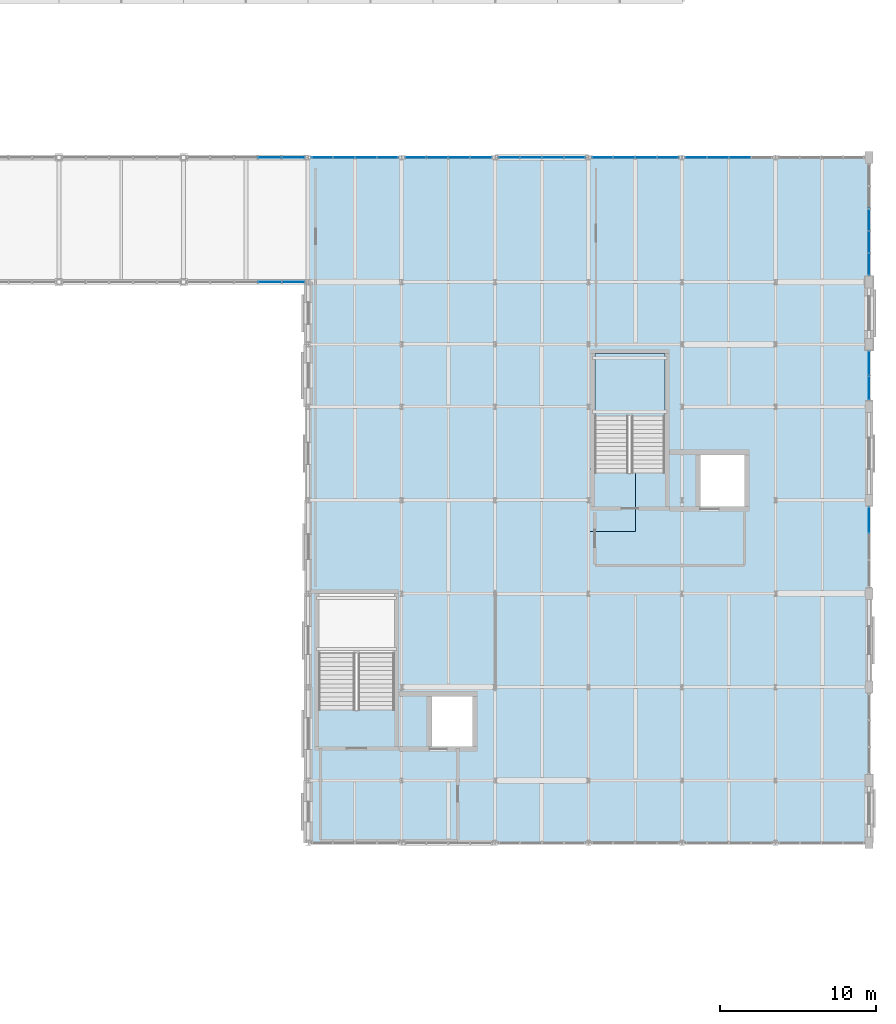
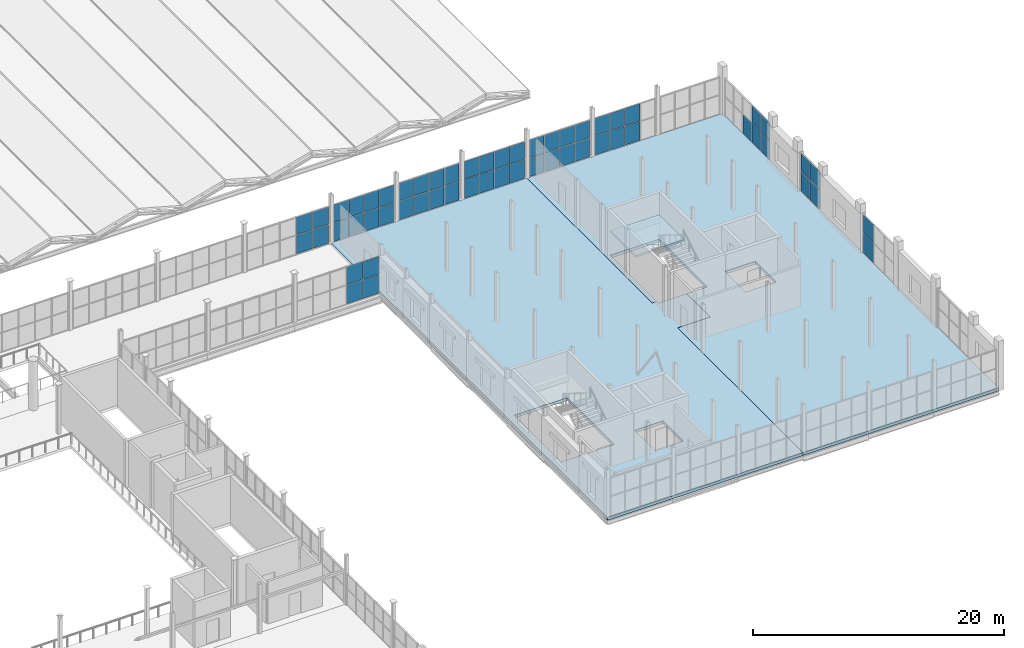
# One storey, part 89 of 114: 57 plates, 3 slabs, 11 elements without a shape of their own.
"""IFC4 building model written with IfcOpenShell, lengths in metres."""

from ifc_helpers import new_model, si_unit, direction, frame, origin, origin_2d, place, context, subcontext, project, spatial, polyline, rectangle, outline, extrude, material, layer, layer_set, type_object, element, aggregate, save


model = new_model("IFC4")

# Units and contexts
model_context = context("Model", 3, precision=1e-05, world=origin(), true_north=direction((0.0, 1.0)))
body_context = subcontext(model_context, "Body", "Model", "MODEL_VIEW")
ifc_project = project(units=[si_unit("LENGTHUNIT", "METRE"), si_unit("AREAUNIT", "SQUARE_METRE"), si_unit("VOLUMEUNIT", "CUBIC_METRE"), si_unit("PLANEANGLEUNIT", "RADIAN"), si_unit("MASSUNIT", "GRAM", prefix="KILO")], contexts=[model_context])

# Site, building, storey
site_placement = place(None, origin())
site = spatial("IfcSite", under=ifc_project, at=site_placement, CompositionType="ELEMENT")
building_placement = place(site_placement, origin())
building = spatial("IfcBuilding", under=site, at=building_placement, Name="Verrall Gate Interchange", CompositionType="ELEMENT")
storey_placement = place(building_placement, frame((0.0, 0.0, 6.60009765625)))
storey = spatial("IfcBuildingStorey", under=building, at=storey_placement, Name="L02", CompositionType="ELEMENT", Elevation=6.60009765625)

# Curtain wall, plates
ifc_material_1 = material(Name="Thermally Broken Anodized Aluminium Curtain Wall Framing", Category="aluminium")
curtain_wall_type_1 = type_object("IfcCurtainWallType", Name="CW-21 Unitized Curtain Wall 7631x3680", PredefinedType="NOTDEFINED", material=ifc_material_1)
curtain_wall_1_placement = place(storey_placement, origin())
curtain_wall_1 = element("IfcCurtainWall", 1, at=curtain_wall_1_placement, inside=storey, type_object=curtain_wall_type_1, Name="L02 Unitized Curtain Wall CW-L02-072", PredefinedType="NOTDEFINED")
ifc_material_2 = material(Name="Triple-Glazed Low-E Argon Insulated Curtain Panel (U=1.45)", Category="glass")
ifc_layer_1 = layer(ifc_material_2, 0.030029296875)
ifc_layer_set_1 = layer_set([ifc_layer_1], Name="Triple-Glazed Low-E Argon Insulated Curtain Panel (U=1.45)")
plate_type_1 = type_object("IfcPlateType", Name="CP-01 Curtain Glazing Panel 30", PredefinedType="CURTAIN_PANEL", material=ifc_layer_set_1)
plate_1_placement = place(storey_placement, frame((129.525390625, 48.0, 0.054443359375), z_axis=(0.0, 0.0, 1.0), x_axis=(1.0, 0.0, 0.0)))
plate_1 = element("IfcPlate", 2, at=plate_1_placement, type_object=plate_type_1, Name="CW-L02-072 Glazing Panel 4.1", PredefinedType="CURTAIN_PANEL", context=body_context, shape_type="SweptSolid", body=[
    extrude(rectangle(XDim=1.481689453125, YDim=0.030029296875, at=origin_2d()), origin(), (0.0, 0.0, 1.0), 1.8369140625),
])
plate_2_placement = place(storey_placement, frame((129.525390625, 48.0, 1.935546875), z_axis=(0.0, 0.0, 1.0), x_axis=(1.0, 0.0, 0.0)))
plate_2 = element("IfcPlate", 3, at=plate_2_placement, type_object=plate_type_1, Name="CW-L02-072 Glazing Panel 4.2", PredefinedType="CURTAIN_PANEL", context=body_context, shape_type="SweptSolid", body=[
    extrude(rectangle(XDim=1.481689453125, YDim=0.030029296875, at=origin_2d()), origin(), (0.0, 0.0, 1.0), 1.689697265625),
])
plate_3_placement = place(storey_placement, frame((131.03515625, 48.0, 0.054443359375), z_axis=(0.0, 0.0, 1.0), x_axis=(1.0, 0.0, 0.0)))
plate_3 = element("IfcPlate", 4, at=plate_3_placement, type_object=plate_type_1, Name="CW-L02-072 Glazing Panel 5.1", PredefinedType="CURTAIN_PANEL", context=body_context, shape_type="SweptSolid", body=[
    extrude(rectangle(XDim=1.44921875, YDim=0.030029296875, at=origin_2d()), origin(), (0.0, 0.0, 1.0), 1.8369140625),
])
plate_4_placement = place(storey_placement, frame((131.03515625, 48.0, 1.935546875), z_axis=(0.0, 0.0, 1.0), x_axis=(1.0, 0.0, 0.0)))
plate_4 = element("IfcPlate", 5, at=plate_4_placement, type_object=plate_type_1, Name="CW-L02-072 Glazing Panel 5.2", PredefinedType="CURTAIN_PANEL", context=body_context, shape_type="SweptSolid", body=[
    extrude(rectangle(XDim=1.44921875, YDim=0.030029296875, at=origin_2d()), origin(), (0.0, 0.0, 1.0), 1.689697265625),
])
aggregate(curtain_wall_1, [plate_1, plate_2, plate_3, plate_4])

curtain_wall_2_placement = place(storey_placement, origin())
curtain_wall_2 = element("IfcCurtainWall", 6, at=curtain_wall_2_placement, inside=storey, type_object=curtain_wall_type_1, Name="L02 Unitized Curtain Wall CW-L02-073", PredefinedType="NOTDEFINED")
plate_5_placement = place(storey_placement, frame((131.03271484375, 56.0, 0.062744140625), z_axis=(0.0, 0.0, 1.0), x_axis=(-1.0, 0.0, 0.0)))
plate_5 = element("IfcPlate", 7, at=plate_5_placement, type_object=plate_type_1, Name="CW-L02-073 Glazing Panel 1.1", PredefinedType="CURTAIN_PANEL", context=body_context, shape_type="SweptSolid", body=[
    extrude(rectangle(XDim=1.4375, YDim=0.030029296875, at=origin_2d()), origin(), (0.0, 0.0, 1.0), 1.8251953125),
])
plate_6_placement = place(storey_placement, frame((131.03271484375, 56.0, 1.93896484375), z_axis=(0.0, 0.0, 1.0), x_axis=(-1.0, 0.0, 0.0)))
plate_6 = element("IfcPlate", 8, at=plate_6_placement, type_object=plate_type_1, Name="CW-L02-073 Glazing Panel 1.2", PredefinedType="CURTAIN_PANEL", context=body_context, shape_type="SweptSolid", body=[
    extrude(rectangle(XDim=1.4375, YDim=0.030029296875, at=origin_2d()), origin(), (0.0, 0.0, 1.0), 1.677978515625),
])
plate_7_placement = place(storey_placement, frame((129.525390625, 56.0, 0.062744140625), z_axis=(0.0, 0.0, 1.0), x_axis=(-1.0, 0.0, 0.0)))
plate_7 = element("IfcPlate", 9, at=plate_7_placement, type_object=plate_type_1, Name="CW-L02-073 Glazing Panel 2.1", PredefinedType="CURTAIN_PANEL", context=body_context, shape_type="SweptSolid", body=[
    extrude(rectangle(XDim=1.47509765625, YDim=0.030029296875, at=origin_2d()), origin(), (0.0, 0.0, 1.0), 1.8251953125),
])
plate_8_placement = place(storey_placement, frame((129.525390625, 56.0, 1.93896484375), z_axis=(0.0, 0.0, 1.0), x_axis=(-1.0, 0.0, 0.0)))
plate_8 = element("IfcPlate", 10, at=plate_8_placement, type_object=plate_type_1, Name="CW-L02-073 Glazing Panel 2.2", PredefinedType="CURTAIN_PANEL", context=body_context, shape_type="SweptSolid", body=[
    extrude(rectangle(XDim=1.47509765625, YDim=0.030029296875, at=origin_2d()), origin(), (0.0, 0.0, 1.0), 1.677978515625),
])
aggregate(curtain_wall_2, [plate_5, plate_6, plate_7, plate_8])

ifc_material_3 = material(Name="Thermally Broken Anodized Aluminium Curtain Wall Framing", Category="aluminium")
curtain_wall_type_2 = type_object("IfcCurtainWallType", Name="CW-24 Unitized Curtain Wall 5186x3830", PredefinedType="NOTDEFINED", material=ifc_material_3)
curtain_wall_3_placement = place(storey_placement, origin())
curtain_wall_3 = element("IfcCurtainWall", 11, at=curtain_wall_3_placement, inside=storey, type_object=curtain_wall_type_2, Name="L02 Unitized Curtain Wall CW-L02-092", PredefinedType="NOTDEFINED")
plate_9_placement = place(storey_placement, frame((168.0, 32.71240234375, 0.0546875), z_axis=(0.0, 0.0, 1.0), x_axis=(0.0, 1.0, 0.0)))
plate_9 = element("IfcPlate", 12, at=plate_9_placement, type_object=plate_type_1, Name="CW-L02-092 Glazing Panel 3.1", PredefinedType="CURTAIN_PANEL", context=body_context, shape_type="SweptSolid", body=[
    extrude(rectangle(XDim=1.652099609375, YDim=0.030029296875, at=origin_2d()), origin(), (0.0, 0.0, 1.0), 1.914794921875),
])
plate_10_placement = place(storey_placement, frame((168.0, 32.71240234375, 2.013671875), z_axis=(0.0, 0.0, 1.0), x_axis=(0.0, 1.0, 0.0)))
plate_10 = element("IfcPlate", 13, at=plate_10_placement, type_object=plate_type_1, Name="CW-L02-092 Glazing Panel 3.2", PredefinedType="CURTAIN_PANEL", context=body_context, shape_type="SweptSolid", body=[
    extrude(rectangle(XDim=1.652099609375, YDim=0.030029296875, at=origin_2d()), origin(), (0.0, 0.0, 1.0), 1.76171875),
])
aggregate(curtain_wall_3, [plate_9, plate_10])

ifc_material_4 = material(Name="Thermally Broken Anodized Aluminium Curtain Wall Framing", Category="aluminium")
curtain_wall_type_3 = type_object("IfcCurtainWallType", Name="CW-25 Unitized Curtain Wall 3186x3830", PredefinedType="NOTDEFINED", material=ifc_material_4)
curtain_wall_4_placement = place(storey_placement, origin())
curtain_wall_4 = element("IfcCurtainWall", 14, at=curtain_wall_4_placement, inside=storey, type_object=curtain_wall_type_3, Name="L02 Unitized Curtain Wall CW-L02-093", PredefinedType="NOTDEFINED")
plate_11_placement = place(storey_placement, frame((168.0, 41.22216796875, 0.06298828125), z_axis=(0.0, 0.0, 1.0), x_axis=(0.0, 1.0, 0.0)))
plate_11 = element("IfcPlate", 15, at=plate_11_placement, type_object=plate_type_1, Name="CW-L02-093 Glazing Panel 1.1", PredefinedType="CURTAIN_PANEL", context=body_context, shape_type="SweptSolid", body=[
    extrude(rectangle(XDim=1.50439453125, YDim=0.030029296875, at=origin_2d()), origin(), (0.0, 0.0, 1.0), 1.903076171875),
])
plate_12_placement = place(storey_placement, frame((168.0, 41.22216796875, 2.016845703125), z_axis=(0.0, 0.0, 1.0), x_axis=(0.0, 1.0, 0.0)))
plate_12 = element("IfcPlate", 16, at=plate_12_placement, type_object=plate_type_1, Name="CW-L02-093 Glazing Panel 1.2", PredefinedType="CURTAIN_PANEL", context=body_context, shape_type="SweptSolid", body=[
    extrude(rectangle(XDim=1.50439453125, YDim=0.030029296875, at=origin_2d()), origin(), (0.0, 0.0, 1.0), 1.75),
])
plate_13_placement = place(storey_placement, frame((168.0, 42.777587890625, 0.06298828125), z_axis=(0.0, 0.0, 1.0), x_axis=(0.0, 1.0, 0.0)))
plate_13 = element("IfcPlate", 17, at=plate_13_placement, type_object=plate_type_1, Name="CW-L02-093 Glazing Panel 2.1", PredefinedType="CURTAIN_PANEL", context=body_context, shape_type="SweptSolid", body=[
    extrude(rectangle(XDim=1.50439453125, YDim=0.030029296875, at=origin_2d()), origin(), (0.0, 0.0, 1.0), 1.903076171875),
])
plate_14_placement = place(storey_placement, frame((168.0, 42.777587890625, 2.016845703125), z_axis=(0.0, 0.0, 1.0), x_axis=(0.0, 1.0, 0.0)))
plate_14 = element("IfcPlate", 18, at=plate_14_placement, type_object=plate_type_1, Name="CW-L02-093 Glazing Panel 2.2", PredefinedType="CURTAIN_PANEL", context=body_context, shape_type="SweptSolid", body=[
    extrude(rectangle(XDim=1.50439453125, YDim=0.030029296875, at=origin_2d()), origin(), (0.0, 0.0, 1.0), 1.75),
])
aggregate(curtain_wall_4, [plate_11, plate_12, plate_13, plate_14])

ifc_material_5 = material(Name="Thermally Broken Anodized Aluminium Curtain Wall Framing", Category="aluminium")
curtain_wall_type_4 = type_object("IfcCurtainWallType", Name="CW-28 Unitized Curtain Wall 5629x3680", PredefinedType="NOTDEFINED", material=ifc_material_5)
curtain_wall_5_placement = place(storey_placement, origin())
curtain_wall_5 = element("IfcCurtainWall", 19, at=curtain_wall_5_placement, inside=storey, type_object=curtain_wall_type_4, Name="L02 Unitized Curtain Wall CW-L02-096", PredefinedType="NOTDEFINED")
plate_15_placement = place(storey_placement, frame((159.70361328125, 56.0, 0.054443359375), z_axis=(0.0, 0.0, 1.0), x_axis=(-1.0, 0.0, 0.0)))
plate_15 = element("IfcPlate", 20, at=plate_15_placement, type_object=plate_type_1, Name="CW-L02-096 Glazing Panel 2.1", PredefinedType="CURTAIN_PANEL", context=body_context, shape_type="SweptSolid", body=[
    extrude(rectangle(XDim=1.363037109375, YDim=0.030029296875, at=origin_2d()), origin(), (0.0, 0.0, 1.0), 1.8369140625),
])
plate_16_placement = place(storey_placement, frame((159.70361328125, 56.0, 1.935546875), z_axis=(0.0, 0.0, 1.0), x_axis=(-1.0, 0.0, 0.0)))
plate_16 = element("IfcPlate", 21, at=plate_16_placement, type_object=plate_type_1, Name="CW-L02-096 Glazing Panel 2.2", PredefinedType="CURTAIN_PANEL", context=body_context, shape_type="SweptSolid", body=[
    extrude(rectangle(XDim=1.363037109375, YDim=0.030029296875, at=origin_2d()), origin(), (0.0, 0.0, 1.0), 1.689697265625),
])
plate_17_placement = place(storey_placement, frame((158.29638671875, 56.0, 0.054443359375), z_axis=(0.0, 0.0, 1.0), x_axis=(-1.0, 0.0, 0.0)))
plate_17 = element("IfcPlate", 22, at=plate_17_placement, type_object=plate_type_1, Name="CW-L02-096 Glazing Panel 3.1", PredefinedType="CURTAIN_PANEL", context=body_context, shape_type="SweptSolid", body=[
    extrude(rectangle(XDim=1.363037109375, YDim=0.030029296875, at=origin_2d()), origin(), (0.0, 0.0, 1.0), 1.8369140625),
])
plate_18_placement = place(storey_placement, frame((158.29638671875, 56.0, 1.935546875), z_axis=(0.0, 0.0, 1.0), x_axis=(-1.0, 0.0, 0.0)))
plate_18 = element("IfcPlate", 23, at=plate_18_placement, type_object=plate_type_1, Name="CW-L02-096 Glazing Panel 3.2", PredefinedType="CURTAIN_PANEL", context=body_context, shape_type="SweptSolid", body=[
    extrude(rectangle(XDim=1.363037109375, YDim=0.030029296875, at=origin_2d()), origin(), (0.0, 0.0, 1.0), 1.689697265625),
])
plate_19_placement = place(storey_placement, frame((156.9052734375, 56.0, 0.054443359375), z_axis=(0.0, 0.0, 1.0), x_axis=(-1.0, 0.0, 0.0)))
plate_19 = element("IfcPlate", 24, at=plate_19_placement, type_object=plate_type_1, Name="CW-L02-096 Glazing Panel 4.1", PredefinedType="CURTAIN_PANEL", context=body_context, shape_type="SweptSolid", body=[
    extrude(rectangle(XDim=1.33056640625, YDim=0.030029296875, at=origin_2d()), origin(), (0.0, 0.0, 1.0), 1.8369140625),
])
plate_20_placement = place(storey_placement, frame((156.9052734375, 56.0, 1.935546875), z_axis=(0.0, 0.0, 1.0), x_axis=(-1.0, 0.0, 0.0)))
plate_20 = element("IfcPlate", 25, at=plate_20_placement, type_object=plate_type_1, Name="CW-L02-096 Glazing Panel 4.2", PredefinedType="CURTAIN_PANEL", context=body_context, shape_type="SweptSolid", body=[
    extrude(rectangle(XDim=1.33056640625, YDim=0.030029296875, at=origin_2d()), origin(), (0.0, 0.0, 1.0), 1.689697265625),
])
aggregate(curtain_wall_5, [plate_15, plate_16, plate_17, plate_18, plate_19, plate_20])

curtain_wall_6_placement = place(storey_placement, origin())
curtain_wall_6 = element("IfcCurtainWall", 26, at=curtain_wall_6_placement, inside=storey, type_object=curtain_wall_type_4, Name="L02 Unitized Curtain Wall CW-L02-097", PredefinedType="NOTDEFINED")
plate_21_placement = place(storey_placement, frame((155.09228515625, 56.0, 0.062744140625), z_axis=(0.0, 0.0, 1.0), x_axis=(-1.0, 0.0, 0.0)))
plate_21 = element("IfcPlate", 27, at=plate_21_placement, type_object=plate_type_1, Name="CW-L02-097 Glazing Panel 1.1", PredefinedType="CURTAIN_PANEL", context=body_context, shape_type="SweptSolid", body=[
    extrude(rectangle(XDim=1.318603515625, YDim=0.030029296875, at=origin_2d()), origin(), (0.0, 0.0, 1.0), 1.8251953125),
])
plate_22_placement = place(storey_placement, frame((155.09228515625, 56.0, 1.93896484375), z_axis=(0.0, 0.0, 1.0), x_axis=(-1.0, 0.0, 0.0)))
plate_22 = element("IfcPlate", 28, at=plate_22_placement, type_object=plate_type_1, Name="CW-L02-097 Glazing Panel 1.2", PredefinedType="CURTAIN_PANEL", context=body_context, shape_type="SweptSolid", body=[
    extrude(rectangle(XDim=1.318603515625, YDim=0.030029296875, at=origin_2d()), origin(), (0.0, 0.0, 1.0), 1.677978515625),
])
plate_23_placement = place(storey_placement, frame((153.70361328125, 56.0, 0.062744140625), z_axis=(0.0, 0.0, 1.0), x_axis=(-1.0, 0.0, 0.0)))
plate_23 = element("IfcPlate", 29, at=plate_23_placement, type_object=plate_type_1, Name="CW-L02-097 Glazing Panel 2.1", PredefinedType="CURTAIN_PANEL", context=body_context, shape_type="SweptSolid", body=[
    extrude(rectangle(XDim=1.356201171875, YDim=0.030029296875, at=origin_2d()), origin(), (0.0, 0.0, 1.0), 1.8251953125),
])
plate_24_placement = place(storey_placement, frame((153.70361328125, 56.0, 1.93896484375), z_axis=(0.0, 0.0, 1.0), x_axis=(-1.0, 0.0, 0.0)))
plate_24 = element("IfcPlate", 30, at=plate_24_placement, type_object=plate_type_1, Name="CW-L02-097 Glazing Panel 2.2", PredefinedType="CURTAIN_PANEL", context=body_context, shape_type="SweptSolid", body=[
    extrude(rectangle(XDim=1.356201171875, YDim=0.030029296875, at=origin_2d()), origin(), (0.0, 0.0, 1.0), 1.677978515625),
])
plate_25_placement = place(storey_placement, frame((152.29638671875, 56.0, 0.062744140625), z_axis=(0.0, 0.0, 1.0), x_axis=(-1.0, 0.0, 0.0)))
plate_25 = element("IfcPlate", 31, at=plate_25_placement, type_object=plate_type_1, Name="CW-L02-097 Glazing Panel 3.1", PredefinedType="CURTAIN_PANEL", context=body_context, shape_type="SweptSolid", body=[
    extrude(rectangle(XDim=1.356201171875, YDim=0.030029296875, at=origin_2d()), origin(), (0.0, 0.0, 1.0), 1.8251953125),
])
plate_26_placement = place(storey_placement, frame((152.29638671875, 56.0, 1.93896484375), z_axis=(0.0, 0.0, 1.0), x_axis=(-1.0, 0.0, 0.0)))
plate_26 = element("IfcPlate", 32, at=plate_26_placement, type_object=plate_type_1, Name="CW-L02-097 Glazing Panel 3.2", PredefinedType="CURTAIN_PANEL", context=body_context, shape_type="SweptSolid", body=[
    extrude(rectangle(XDim=1.356201171875, YDim=0.030029296875, at=origin_2d()), origin(), (0.0, 0.0, 1.0), 1.677978515625),
])
plate_27_placement = place(storey_placement, frame((150.90771484375, 56.0, 0.062744140625), z_axis=(0.0, 0.0, 1.0), x_axis=(-1.0, 0.0, 0.0)))
plate_27 = element("IfcPlate", 33, at=plate_27_placement, type_object=plate_type_1, Name="CW-L02-097 Glazing Panel 4.1", PredefinedType="CURTAIN_PANEL", context=body_context, shape_type="SweptSolid", body=[
    extrude(rectangle(XDim=1.318603515625, YDim=0.030029296875, at=origin_2d()), origin(), (0.0, 0.0, 1.0), 1.8251953125),
])
plate_28_placement = place(storey_placement, frame((150.90771484375, 56.0, 1.93896484375), z_axis=(0.0, 0.0, 1.0), x_axis=(-1.0, 0.0, 0.0)))
plate_28 = element("IfcPlate", 34, at=plate_28_placement, type_object=plate_type_1, Name="CW-L02-097 Glazing Panel 4.2", PredefinedType="CURTAIN_PANEL", context=body_context, shape_type="SweptSolid", body=[
    extrude(rectangle(XDim=1.318603515625, YDim=0.030029296875, at=origin_2d()), origin(), (0.0, 0.0, 1.0), 1.677978515625),
])
aggregate(curtain_wall_6, [plate_21, plate_22, plate_23, plate_24, plate_25, plate_26, plate_27, plate_28])

curtain_wall_7_placement = place(storey_placement, origin())
curtain_wall_7 = element("IfcCurtainWall", 35, at=curtain_wall_7_placement, inside=storey, type_object=curtain_wall_type_4, Name="L02 Unitized Curtain Wall CW-L02-100", PredefinedType="NOTDEFINED")
plate_29_placement = place(storey_placement, frame((137.0947265625, 56.0, 0.054443359375), z_axis=(0.0, 0.0, 1.0), x_axis=(-1.0, 0.0, 0.0)))
plate_29 = element("IfcPlate", 36, at=plate_29_placement, type_object=plate_type_1, Name="CW-L02-100 Glazing Panel 1.1", PredefinedType="CURTAIN_PANEL", context=body_context, shape_type="SweptSolid", body=[
    extrude(rectangle(XDim=1.33056640625, YDim=0.030029296875, at=origin_2d()), origin(), (0.0, 0.0, 1.0), 1.8369140625),
])
plate_30_placement = place(storey_placement, frame((137.0947265625, 56.0, 1.935546875), z_axis=(0.0, 0.0, 1.0), x_axis=(-1.0, 0.0, 0.0)))
plate_30 = element("IfcPlate", 37, at=plate_30_placement, type_object=plate_type_1, Name="CW-L02-100 Glazing Panel 1.2", PredefinedType="CURTAIN_PANEL", context=body_context, shape_type="SweptSolid", body=[
    extrude(rectangle(XDim=1.33056640625, YDim=0.030029296875, at=origin_2d()), origin(), (0.0, 0.0, 1.0), 1.689697265625),
])
plate_31_placement = place(storey_placement, frame((135.70361328125, 56.0, 0.054443359375), z_axis=(0.0, 0.0, 1.0), x_axis=(-1.0, 0.0, 0.0)))
plate_31 = element("IfcPlate", 38, at=plate_31_placement, type_object=plate_type_1, Name="CW-L02-100 Glazing Panel 2.1", PredefinedType="CURTAIN_PANEL", context=body_context, shape_type="SweptSolid", body=[
    extrude(rectangle(XDim=1.363037109375, YDim=0.030029296875, at=origin_2d()), origin(), (0.0, 0.0, 1.0), 1.8369140625),
])
plate_32_placement = place(storey_placement, frame((135.70361328125, 56.0, 1.935546875), z_axis=(0.0, 0.0, 1.0), x_axis=(-1.0, 0.0, 0.0)))
plate_32 = element("IfcPlate", 39, at=plate_32_placement, type_object=plate_type_1, Name="CW-L02-100 Glazing Panel 2.2", PredefinedType="CURTAIN_PANEL", context=body_context, shape_type="SweptSolid", body=[
    extrude(rectangle(XDim=1.363037109375, YDim=0.030029296875, at=origin_2d()), origin(), (0.0, 0.0, 1.0), 1.689697265625),
])
plate_33_placement = place(storey_placement, frame((134.29638671875, 56.0, 0.054443359375), z_axis=(0.0, 0.0, 1.0), x_axis=(-1.0, 0.0, 0.0)))
plate_33 = element("IfcPlate", 40, at=plate_33_placement, type_object=plate_type_1, Name="CW-L02-100 Glazing Panel 3.1", PredefinedType="CURTAIN_PANEL", context=body_context, shape_type="SweptSolid", body=[
    extrude(rectangle(XDim=1.363037109375, YDim=0.030029296875, at=origin_2d()), origin(), (0.0, 0.0, 1.0), 1.8369140625),
])
plate_34_placement = place(storey_placement, frame((134.29638671875, 56.0, 1.935546875), z_axis=(0.0, 0.0, 1.0), x_axis=(-1.0, 0.0, 0.0)))
plate_34 = element("IfcPlate", 41, at=plate_34_placement, type_object=plate_type_1, Name="CW-L02-100 Glazing Panel 3.2", PredefinedType="CURTAIN_PANEL", context=body_context, shape_type="SweptSolid", body=[
    extrude(rectangle(XDim=1.363037109375, YDim=0.030029296875, at=origin_2d()), origin(), (0.0, 0.0, 1.0), 1.689697265625),
])
plate_35_placement = place(storey_placement, frame((132.9052734375, 56.0, 0.054443359375), z_axis=(0.0, 0.0, 1.0), x_axis=(-1.0, 0.0, 0.0)))
plate_35 = element("IfcPlate", 42, at=plate_35_placement, type_object=plate_type_1, Name="CW-L02-100 Glazing Panel 4.1", PredefinedType="CURTAIN_PANEL", context=body_context, shape_type="SweptSolid", body=[
    extrude(rectangle(XDim=1.33056640625, YDim=0.030029296875, at=origin_2d()), origin(), (0.0, 0.0, 1.0), 1.8369140625),
])
plate_36_placement = place(storey_placement, frame((132.9052734375, 56.0, 1.935546875), z_axis=(0.0, 0.0, 1.0), x_axis=(-1.0, 0.0, 0.0)))
plate_36 = element("IfcPlate", 43, at=plate_36_placement, type_object=plate_type_1, Name="CW-L02-100 Glazing Panel 4.2", PredefinedType="CURTAIN_PANEL", context=body_context, shape_type="SweptSolid", body=[
    extrude(rectangle(XDim=1.33056640625, YDim=0.030029296875, at=origin_2d()), origin(), (0.0, 0.0, 1.0), 1.689697265625),
])
aggregate(curtain_wall_7, [plate_29, plate_30, plate_31, plate_32, plate_33, plate_34, plate_35, plate_36])

ifc_material_6 = material(Name="Thermally Broken Anodized Aluminium Curtain Wall Framing", Category="aluminium")
curtain_wall_type_5 = type_object("IfcCurtainWallType", Name="CW-26 Unitized Curtain Wall 7186x3680", PredefinedType="NOTDEFINED", material=ifc_material_6)
curtain_wall_8_placement = place(storey_placement, origin())
curtain_wall_8 = element("IfcCurtainWall", 44, at=curtain_wall_8_placement, inside=storey, type_object=curtain_wall_type_5, Name="L02 Unitized Curtain Wall CW-L02-094", PredefinedType="NOTDEFINED")
ifc_material_7 = material(Name="Triple-Glazed Low-E Argon Insulated Curtain Panel (U=1.45)", Category="glass")
ifc_layer_2 = layer(ifc_material_7, 0.0400390625)
ifc_layer_set_2 = layer_set([ifc_layer_2], Name="Triple-Glazed Low-E Argon Insulated Curtain Panel (U=1.45)")
plate_type_2 = type_object("IfcPlateType", Name="CP-02 Curtain Glazing Panel 40", PredefinedType="CURTAIN_PANEL", material=ifc_layer_set_2)
plate_37_placement = place(storey_placement, frame((168.0, 49.141845703125, 0.054443359375), z_axis=(0.0, 0.0, 1.0), x_axis=(0.0, 1.0, 0.0)))
plate_37 = element("IfcPlate", 45, at=plate_37_placement, type_object=plate_type_2, Name="CW-L02-094 Glazing Panel 1.1", PredefinedType="CURTAIN_PANEL", context=body_context, shape_type="SweptSolid", body=[
    extrude(rectangle(XDim=1.360595703125, YDim=0.0400390625, at=origin_2d()), origin(), (0.0, 0.0, 1.0), 1.8369140625),
])
plate_38_placement = place(storey_placement, frame((168.0, 49.141845703125, 1.935546875), z_axis=(0.0, 0.0, 1.0), x_axis=(0.0, 1.0, 0.0)))
plate_38 = element("IfcPlate", 46, at=plate_38_placement, type_object=plate_type_2, Name="CW-L02-094 Glazing Panel 1.2", PredefinedType="CURTAIN_PANEL", context=body_context, shape_type="SweptSolid", body=[
    extrude(rectangle(XDim=1.360595703125, YDim=0.0400390625, at=origin_2d()), origin(), (0.0, 0.0, 1.0), 1.689697265625),
])
plate_39_placement = place(storey_placement, frame((168.0, 50.562744140625, 0.054443359375), z_axis=(0.0, 0.0, 1.0), x_axis=(0.0, 1.0, 0.0)))
plate_39 = element("IfcPlate", 47, at=plate_39_placement, type_object=plate_type_2, Name="CW-L02-094 Glazing Panel 2.1", PredefinedType="CURTAIN_PANEL", context=body_context, shape_type="SweptSolid", body=[
    extrude(rectangle(XDim=1.39306640625, YDim=0.0400390625, at=origin_2d()), origin(), (0.0, 0.0, 1.0), 1.8369140625),
])
plate_40_placement = place(storey_placement, frame((168.0, 50.562744140625, 1.935546875), z_axis=(0.0, 0.0, 1.0), x_axis=(0.0, 1.0, 0.0)))
plate_40 = element("IfcPlate", 48, at=plate_40_placement, type_object=plate_type_2, Name="CW-L02-094 Glazing Panel 2.2", PredefinedType="CURTAIN_PANEL", context=body_context, shape_type="SweptSolid", body=[
    extrude(rectangle(XDim=1.39306640625, YDim=0.0400390625, at=origin_2d()), origin(), (0.0, 0.0, 1.0), 1.689697265625),
])
plate_41_placement = place(storey_placement, frame((168.0, 52.0, 0.054443359375), z_axis=(0.0, 0.0, 1.0), x_axis=(0.0, 1.0, 0.0)))
plate_41 = element("IfcPlate", 49, at=plate_41_placement, type_object=plate_type_2, Name="CW-L02-094 Glazing Panel 3.1", PredefinedType="CURTAIN_PANEL", context=body_context, shape_type="SweptSolid", body=[
    extrude(rectangle(XDim=1.39306640625, YDim=0.0400390625, at=origin_2d()), origin(), (0.0, 0.0, 1.0), 1.8369140625),
])
aggregate(curtain_wall_8, [plate_37, plate_38, plate_39, plate_40, plate_41])

curtain_wall_9_placement = place(storey_placement, origin())
curtain_wall_9 = element("IfcCurtainWall", 50, at=curtain_wall_9_placement, inside=storey, type_object=curtain_wall_type_4, Name="L02 Unitized Curtain Wall CW-L02-098", PredefinedType="NOTDEFINED")
plate_42_placement = place(storey_placement, frame((149.0947265625, 56.0, 0.054443359375), z_axis=(0.0, 0.0, 1.0), x_axis=(-1.0, 0.0, 0.0)))
plate_42 = element("IfcPlate", 51, at=plate_42_placement, type_object=plate_type_2, Name="CW-L02-098 Glazing Panel 1.1", PredefinedType="CURTAIN_PANEL", context=body_context, shape_type="SweptSolid", body=[
    extrude(rectangle(XDim=1.33056640625, YDim=0.0400390625, at=origin_2d()), origin(), (0.0, 0.0, 1.0), 1.8369140625),
])
plate_43_placement = place(storey_placement, frame((149.0947265625, 56.0, 1.935546875), z_axis=(0.0, 0.0, 1.0), x_axis=(-1.0, 0.0, 0.0)))
plate_43 = element("IfcPlate", 52, at=plate_43_placement, type_object=plate_type_2, Name="CW-L02-098 Glazing Panel 1.2", PredefinedType="CURTAIN_PANEL", context=body_context, shape_type="SweptSolid", body=[
    extrude(rectangle(XDim=1.33056640625, YDim=0.0400390625, at=origin_2d()), origin(), (0.0, 0.0, 1.0), 1.689697265625),
])
plate_44_placement = place(storey_placement, frame((147.70361328125, 56.0, 0.054443359375), z_axis=(0.0, 0.0, 1.0), x_axis=(-1.0, 0.0, 0.0)))
plate_44 = element("IfcPlate", 53, at=plate_44_placement, type_object=plate_type_2, Name="CW-L02-098 Glazing Panel 2.1", PredefinedType="CURTAIN_PANEL", context=body_context, shape_type="SweptSolid", body=[
    extrude(rectangle(XDim=1.363037109375, YDim=0.0400390625, at=origin_2d()), origin(), (0.0, 0.0, 1.0), 1.8369140625),
])
plate_45_placement = place(storey_placement, frame((147.70361328125, 56.0, 1.935546875), z_axis=(0.0, 0.0, 1.0), x_axis=(-1.0, 0.0, 0.0)))
plate_45 = element("IfcPlate", 54, at=plate_45_placement, type_object=plate_type_2, Name="CW-L02-098 Glazing Panel 2.2", PredefinedType="CURTAIN_PANEL", context=body_context, shape_type="SweptSolid", body=[
    extrude(rectangle(XDim=1.363037109375, YDim=0.0400390625, at=origin_2d()), origin(), (0.0, 0.0, 1.0), 1.689697265625),
])
plate_46_placement = place(storey_placement, frame((146.29638671875, 56.0, 0.054443359375), z_axis=(0.0, 0.0, 1.0), x_axis=(-1.0, 0.0, 0.0)))
plate_46 = element("IfcPlate", 55, at=plate_46_placement, type_object=plate_type_2, Name="CW-L02-098 Glazing Panel 3.1", PredefinedType="CURTAIN_PANEL", context=body_context, shape_type="SweptSolid", body=[
    extrude(rectangle(XDim=1.363037109375, YDim=0.0400390625, at=origin_2d()), origin(), (0.0, 0.0, 1.0), 1.8369140625),
])
plate_47_placement = place(storey_placement, frame((146.29638671875, 56.0, 1.935546875), z_axis=(0.0, 0.0, 1.0), x_axis=(-1.0, 0.0, 0.0)))
plate_47 = element("IfcPlate", 56, at=plate_47_placement, type_object=plate_type_2, Name="CW-L02-098 Glazing Panel 3.2", PredefinedType="CURTAIN_PANEL", context=body_context, shape_type="SweptSolid", body=[
    extrude(rectangle(XDim=1.363037109375, YDim=0.0400390625, at=origin_2d()), origin(), (0.0, 0.0, 1.0), 1.689697265625),
])
plate_48_placement = place(storey_placement, frame((144.9052734375, 56.0, 0.054443359375), z_axis=(0.0, 0.0, 1.0), x_axis=(-1.0, 0.0, 0.0)))
plate_48 = element("IfcPlate", 57, at=plate_48_placement, type_object=plate_type_2, Name="CW-L02-098 Glazing Panel 4.1", PredefinedType="CURTAIN_PANEL", context=body_context, shape_type="SweptSolid", body=[
    extrude(rectangle(XDim=1.33056640625, YDim=0.0400390625, at=origin_2d()), origin(), (0.0, 0.0, 1.0), 1.8369140625),
])
plate_49_placement = place(storey_placement, frame((144.9052734375, 56.0, 1.935546875), z_axis=(0.0, 0.0, 1.0), x_axis=(-1.0, 0.0, 0.0)))
plate_49 = element("IfcPlate", 58, at=plate_49_placement, type_object=plate_type_2, Name="CW-L02-098 Glazing Panel 4.2", PredefinedType="CURTAIN_PANEL", context=body_context, shape_type="SweptSolid", body=[
    extrude(rectangle(XDim=1.33056640625, YDim=0.0400390625, at=origin_2d()), origin(), (0.0, 0.0, 1.0), 1.689697265625),
])
aggregate(curtain_wall_9, [plate_42, plate_43, plate_44, plate_45, plate_46, plate_47, plate_48, plate_49])

curtain_wall_10_placement = place(storey_placement, origin())
curtain_wall_10 = element("IfcCurtainWall", 59, at=curtain_wall_10_placement, inside=storey, type_object=curtain_wall_type_4, Name="L02 Unitized Curtain Wall CW-L02-099", PredefinedType="NOTDEFINED")
plate_50_placement = place(storey_placement, frame((143.09228515625, 56.0, 0.062744140625), z_axis=(0.0, 0.0, 1.0), x_axis=(-1.0, 0.0, 0.0)))
plate_50 = element("IfcPlate", 60, at=plate_50_placement, type_object=plate_type_2, Name="CW-L02-099 Glazing Panel 1.1", PredefinedType="CURTAIN_PANEL", context=body_context, shape_type="SweptSolid", body=[
    extrude(rectangle(XDim=1.318603515625, YDim=0.0400390625, at=origin_2d()), origin(), (0.0, 0.0, 1.0), 1.8251953125),
])
plate_51_placement = place(storey_placement, frame((143.09228515625, 56.0, 1.93896484375), z_axis=(0.0, 0.0, 1.0), x_axis=(-1.0, 0.0, 0.0)))
plate_51 = element("IfcPlate", 61, at=plate_51_placement, type_object=plate_type_2, Name="CW-L02-099 Glazing Panel 1.2", PredefinedType="CURTAIN_PANEL", context=body_context, shape_type="SweptSolid", body=[
    extrude(rectangle(XDim=1.318603515625, YDim=0.0400390625, at=origin_2d()), origin(), (0.0, 0.0, 1.0), 1.677978515625),
])
plate_52_placement = place(storey_placement, frame((141.70361328125, 56.0, 0.062744140625), z_axis=(0.0, 0.0, 1.0), x_axis=(-1.0, 0.0, 0.0)))
plate_52 = element("IfcPlate", 62, at=plate_52_placement, type_object=plate_type_2, Name="CW-L02-099 Glazing Panel 2.1", PredefinedType="CURTAIN_PANEL", context=body_context, shape_type="SweptSolid", body=[
    extrude(rectangle(XDim=1.356201171875, YDim=0.0400390625, at=origin_2d()), origin(), (0.0, 0.0, 1.0), 1.8251953125),
])
plate_53_placement = place(storey_placement, frame((141.70361328125, 56.0, 1.93896484375), z_axis=(0.0, 0.0, 1.0), x_axis=(-1.0, 0.0, 0.0)))
plate_53 = element("IfcPlate", 63, at=plate_53_placement, type_object=plate_type_2, Name="CW-L02-099 Glazing Panel 2.2", PredefinedType="CURTAIN_PANEL", context=body_context, shape_type="SweptSolid", body=[
    extrude(rectangle(XDim=1.356201171875, YDim=0.0400390625, at=origin_2d()), origin(), (0.0, 0.0, 1.0), 1.677978515625),
])
plate_54_placement = place(storey_placement, frame((140.29638671875, 56.0, 0.062744140625), z_axis=(0.0, 0.0, 1.0), x_axis=(-1.0, 0.0, 0.0)))
plate_54 = element("IfcPlate", 64, at=plate_54_placement, type_object=plate_type_2, Name="CW-L02-099 Glazing Panel 3.1", PredefinedType="CURTAIN_PANEL", context=body_context, shape_type="SweptSolid", body=[
    extrude(rectangle(XDim=1.356201171875, YDim=0.0400390625, at=origin_2d()), origin(), (0.0, 0.0, 1.0), 1.8251953125),
])
plate_55_placement = place(storey_placement, frame((140.29638671875, 56.0, 1.93896484375), z_axis=(0.0, 0.0, 1.0), x_axis=(-1.0, 0.0, 0.0)))
plate_55 = element("IfcPlate", 65, at=plate_55_placement, type_object=plate_type_2, Name="CW-L02-099 Glazing Panel 3.2", PredefinedType="CURTAIN_PANEL", context=body_context, shape_type="SweptSolid", body=[
    extrude(rectangle(XDim=1.356201171875, YDim=0.0400390625, at=origin_2d()), origin(), (0.0, 0.0, 1.0), 1.677978515625),
])
plate_56_placement = place(storey_placement, frame((138.90771484375, 56.0, 0.062744140625), z_axis=(0.0, 0.0, 1.0), x_axis=(-1.0, 0.0, 0.0)))
plate_56 = element("IfcPlate", 66, at=plate_56_placement, type_object=plate_type_2, Name="CW-L02-099 Glazing Panel 4.1", PredefinedType="CURTAIN_PANEL", context=body_context, shape_type="SweptSolid", body=[
    extrude(rectangle(XDim=1.318603515625, YDim=0.0400390625, at=origin_2d()), origin(), (0.0, 0.0, 1.0), 1.8251953125),
])
plate_57_placement = place(storey_placement, frame((138.90771484375, 56.0, 1.93896484375), z_axis=(0.0, 0.0, 1.0), x_axis=(-1.0, 0.0, 0.0)))
plate_57 = element("IfcPlate", 67, at=plate_57_placement, type_object=plate_type_2, Name="CW-L02-099 Glazing Panel 4.2", PredefinedType="CURTAIN_PANEL", context=body_context, shape_type="SweptSolid", body=[
    extrude(rectangle(XDim=1.318603515625, YDim=0.0400390625, at=origin_2d()), origin(), (0.0, 0.0, 1.0), 1.677978515625),
])
aggregate(curtain_wall_10, [plate_50, plate_51, plate_52, plate_53, plate_54, plate_55, plate_56, plate_57])

# Slabs
ifc_material_8 = material(Name="Concrete CSA A23.1 40 MPa (Class N)", Category="concrete")
ifc_layer_3 = layer(ifc_material_8, 0.280029296875)
ifc_layer_set_3 = layer_set([ifc_layer_3], Name="Concrete CSA A23.1 40 MPa (Class N)")
slab_type_1 = type_object("IfcSlabType", Name="FS-08 Floor Slab 280", PredefinedType="FLOOR", material=ifc_layer_set_3)
slab_1_placement = place(storey_placement, frame((0.0, 0.0, -0.280029296875)))
element("IfcSlab", 68, at=slab_1_placement, inside=storey, type_object=slab_type_1, Name="L02 Structural Slab SLB-L02-09", PredefinedType="FLOOR", context=body_context, shape_type="SweptSolid", body=[
    extrude(outline(polyline([(132.0, 48.0), (132.0, 56.0), (150.0, 56.0), (150.0, 36.0), (150.39990234375, 36.0), (150.39990234375, 35.75), (153.0, 35.75), (153.0, 32.0), (150.0, 32.0), (150.0, 12.0), (132.0, 12.0), (132.0, 48.0)]), holes=[polyline([(139.93994140625, 21.39990234375), (139.93994140625, 18.199951171875), (142.5400390625, 18.199951171875), (142.5400390625, 21.39990234375), (139.93994140625, 21.39990234375)]), polyline([(137.5400390625, 28.0), (132.679931640625, 28.0), (132.679931640625, 20.530029296875), (137.5400390625, 20.530029296875), (137.5400390625, 28.0)])]), origin(), (0.0, 0.0, 1.0), 0.280029296875),
])
slab_2_placement = place(storey_placement, frame((0.0, 0.0, -0.280029296875)))
element("IfcSlab", 69, at=slab_2_placement, inside=storey, type_object=slab_type_1, Name="L02 Structural Slab SLB-L02-10", PredefinedType="FLOOR", context=body_context, shape_type="SweptSolid", body=[
    extrude(outline(polyline([(168.0, 12.0), (150.0, 12.0), (150.0, 32.0), (153.0, 32.0), (153.0, 35.75), (154.89990234375, 35.75), (154.89990234375, 43.39990234375), (150.39990234375, 43.39990234375), (150.39990234375, 36.0), (150.0, 36.0), (150.0, 56.0), (168.0, 56.0), (168.0, 12.0)]), holes=[polyline([(160.0, 36.89990234375), (157.199951171875, 36.89990234375), (157.199951171875, 33.60009765625), (160.0, 33.60009765625), (160.0, 36.89990234375)])]), origin(), (0.0, 0.0, 1.0), 0.280029296875),
])

# Stair, slab
ifc_material_9 = material(Name="Concrete CSA A23.1 40 MPa (Class N)", Category="concrete")
stair_type = type_object("IfcStairType", Name="ST-T08 Straight-Flight Return Exit Stair W2150 H4800", PredefinedType="STRAIGHT_RUN_STAIR", material=ifc_material_9)
stair_placement = place(storey_placement, origin())
stair = element("IfcStair", 70, at=stair_placement, inside=storey, type_object=stair_type, Name="L02 ST-09", PredefinedType="STRAIGHT_RUN_STAIR")
ifc_material_10 = material(Name="Concrete CSA A23.1 40 MPa (Class N)", Category="concrete")
ifc_layer_4 = layer(ifc_material_10, 0.18994140625)
ifc_layer_set_4 = layer_set([ifc_layer_4], Name="Concrete CSA A23.1 40 MPa (Class N)")
slab_type_2 = type_object("IfcSlabType", Name="LS-01 Stair Landing Slab 190", PredefinedType="LANDING", material=ifc_layer_set_4)
slab_3_placement = place(storey_placement, frame((0.0, 0.0, 2.199951171875)))
slab_3 = element("IfcSlab", 71, at=slab_3_placement, type_object=slab_type_2, Name="ST-09 landing 1", PredefinedType="LANDING", context=body_context, shape_type="SweptSolid", body=[
    extrude(outline(polyline([(154.89990234375, 39.389892578125), (154.89990234375, 43.39990234375), (150.39990234375, 43.39990234375), (150.39990234375, 39.389892578125), (154.89990234375, 39.389892578125)])), origin(), (0.0, 0.0, 1.0), 0.199951171875),
])
aggregate(stair, [slab_3])

save(model, "model.ifc")
